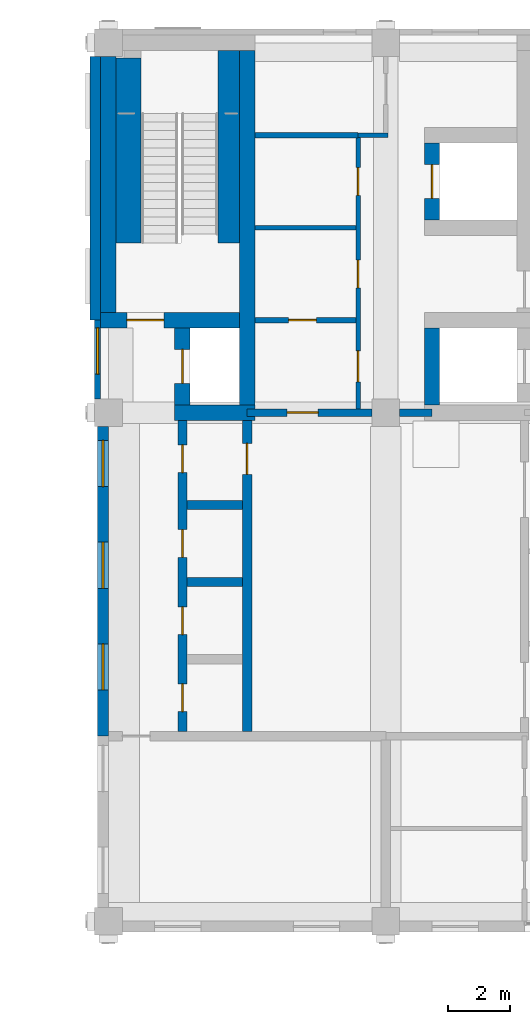
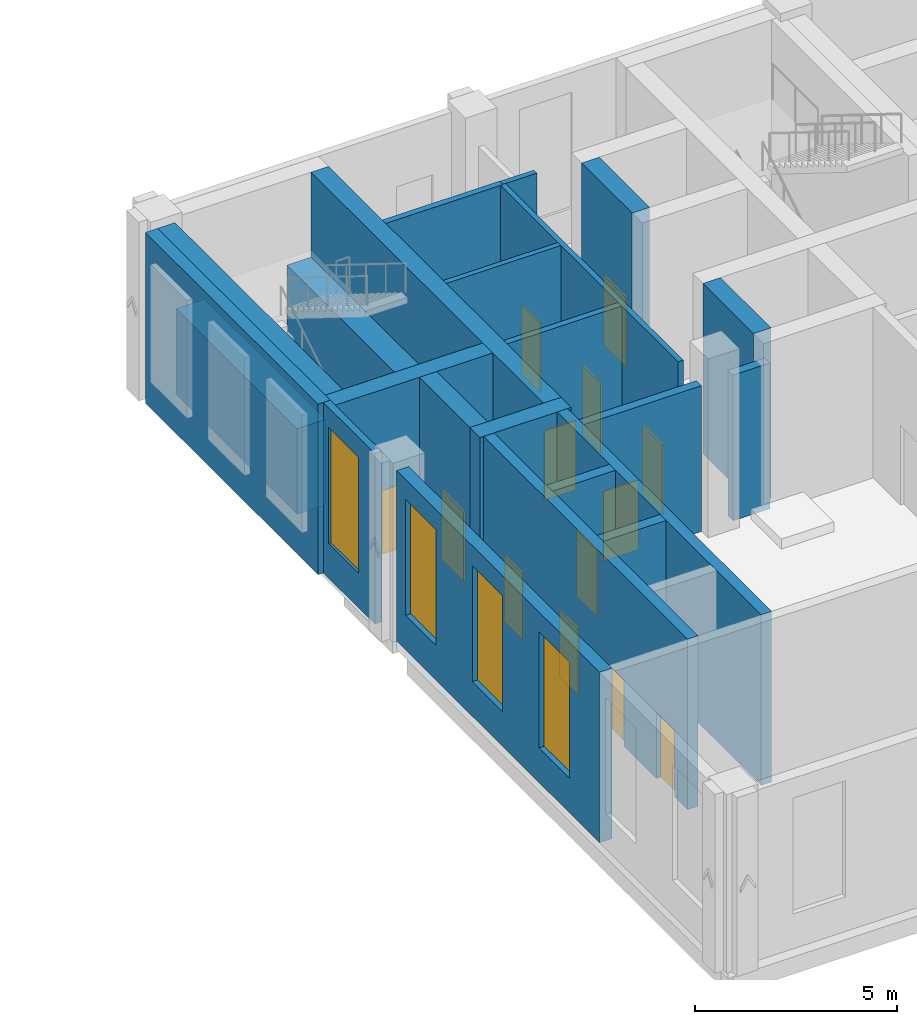
# One storey, part 16 of 25: 23 walls, 13 doors, 4 windows, 17 openings.
"""IFC4 building model written with IfcOpenShell, lengths in metres."""

from ifc_helpers import new_model, si_unit, direction, frame, frame_2d, origin, place, context, subcontext, project, spatial, rectangle, extrude, material, layer, layer_set, type_object, element, fill, save


model = new_model("IFC4")

# Units and contexts
model_context = context("Model", 3, precision=1e-05, world=origin(), true_north=direction((0.0, 1.0)))
body_context = subcontext(model_context, "Body", "Model", "MODEL_VIEW")
ifc_project = project(units=[si_unit("LENGTHUNIT", "METRE"), si_unit("AREAUNIT", "SQUARE_METRE"), si_unit("VOLUMEUNIT", "CUBIC_METRE"), si_unit("PLANEANGLEUNIT", "RADIAN"), si_unit("MASSUNIT", "GRAM", prefix="KILO")], contexts=[model_context])

# Site, building, storey
site_placement = place(None, origin())
site = spatial("IfcSite", under=ifc_project, at=site_placement, CompositionType="ELEMENT")
building_placement = place(site_placement, origin())
building = spatial("IfcBuilding", under=site, at=building_placement, Name="Aurelan Courthouse", CompositionType="ELEMENT")
storey_placement = place(building_placement, frame((0.0, 0.0, 33.60009765625)))
storey = spatial("IfcBuildingStorey", under=building, at=storey_placement, Name="L06", CompositionType="ELEMENT", Elevation=33.60009765625)

# Wall, opening, door
ifc_material_1 = material(Name="Gypsum board on metal studs")
ifc_layer_1 = layer(ifc_material_1, 0.175048828125)
ifc_layer_set_1 = layer_set([ifc_layer_1], Name="Gypsum board on metal studs")
wall_type_1 = type_object("IfcWallType", Name="Chambers acoustic partition 175 NOT RATED", PredefinedType="PARTITIONING", material=ifc_layer_set_1)
wall_1_placement = place(storey_placement, frame((40.75, 57.0, 0.0), z_axis=(0.0, 0.0, 1.0), x_axis=(1.0, 0.0, 0.0)))
wall_1 = element("IfcWall", 1, at=wall_1_placement, inside=storey, type_object=wall_type_1, Name="Chambers acoustic partition L06-025", PredefinedType="PARTITIONING", context=body_context, shape_type="SweptSolid", body=[
    extrude(rectangle(XDim=3.27490234375, YDim=0.175048828125, at=frame_2d((1.637451171875, 0.0))), origin(), (0.0, 0.0, 1.0), 5.14990234375),
])
opening_1_placement = place(wall_1_placement, frame((2.0, 0.0, 0.0), z_axis=(0.0, 0.0, 1.0), x_axis=(-1.0, 0.0, 0.0)))
opening_1 = element("IfcOpeningElement", 2, at=opening_1_placement, cuts=wall_1, Name="Opening D-L06-029", PredefinedType="OPENING", context=body_context, shape_type="SweptSolid", body=[
    extrude(rectangle(XDim=0.89990234375, YDim=2.10009765625, at=frame_2d((0.449951171875, 1.050048828125))), frame((0.0, 0.097412109375, 0.0), z_axis=(0.0, -1.0, 0.0), x_axis=(1.0, 0.0, 0.0)), (0.0, 0.0, 1.0), 0.195068359375),
])
ifc_material_2 = material(Name="Timber", Category="wood")
door_type_1 = type_object("IfcDoorType", Name="Single door 900 x 2100 NOT RATED", OperationType="SINGLE_SWING_LEFT", PredefinedType="DOOR", material=ifc_material_2)
door_1_placement = place(opening_1_placement, origin())
door_1 = element("IfcDoor", 3, at=door_1_placement, inside=storey, type_object=door_type_1, Name="Single door D-L06-029", OperationType="SINGLE_SWING_LEFT", OverallHeight=2.10009765625, OverallWidth=0.89990234375, PredefinedType="DOOR", context=body_context, shape_type="SweptSolid", body=[
    extrude(rectangle(XDim=0.89990234375, YDim=2.10009765625, at=frame_2d((0.449951171875, 1.050048828125))), frame((0.0, 0.02490234375, 0.0), z_axis=(0.0, -1.0, 0.0), x_axis=(1.0, 0.0, 0.0)), (0.0, 0.0, 1.0), 0.050048828125),
])
fill(opening_1, door_1)

# Walls
wall_2_placement = place(storey_placement, frame((40.75, 63.0, 0.0), z_axis=(0.0, 0.0, 1.0), x_axis=(1.0, 0.0, 0.0)))
element("IfcWall", 4, at=wall_2_placement, inside=storey, type_object=wall_type_1, Name="Chambers acoustic partition L06-029", PredefinedType="PARTITIONING", context=body_context, shape_type="SweptSolid", body=[
    extrude(rectangle(XDim=3.35009765625, YDim=0.175048828125, at=frame_2d((1.675048828125, 0.0))), origin(), (0.0, 0.0, 1.0), 5.14990234375),
])
ifc_layer_2 = layer(ifc_material_1, 0.14990234375)
ifc_layer_set_2 = layer_set([ifc_layer_2], Name="Gypsum board on metal studs")
wall_type_2 = type_object("IfcWallType", Name="Corridor partition 150 EI 60", PredefinedType="PARTITIONING", material=ifc_layer_set_2)
wall_3_placement = place(storey_placement, frame((44.10009765625, 63.0, 0.0), z_axis=(0.0, 0.0, 1.0), x_axis=(1.0, 0.0, 0.0)))
element("IfcWall", 5, at=wall_3_placement, inside=storey, type_object=wall_type_2, Name="Corridor partition L06-030", PredefinedType="PARTITIONING", context=body_context, shape_type="SweptSolid", body=[
    extrude(rectangle(XDim=0.974853515625, YDim=0.14990234375, at=frame_2d((0.4873046875, 0.0))), origin(), (0.0, 0.0, 1.0), 5.14990234375),
])

# Wall, openings, doors
wall_4_placement = place(storey_placement, frame((44.10009765625, 54.125, 0.0), z_axis=(0.0, 0.0, 1.0), x_axis=(0.0, 1.0, 0.0)))
wall_4 = element("IfcWall", 6, at=wall_4_placement, inside=storey, type_object=wall_type_2, Name="Corridor partition L06-041", PredefinedType="PARTITIONING", context=body_context, shape_type="SweptSolid", body=[
    extrude(rectangle(XDim=8.800048828125, YDim=0.14990234375, at=frame_2d((4.39990234375, 0.0))), origin(), (0.0, 0.0, 1.0), 5.14990234375),
])
opening_2_placement = place(wall_4_placement, frame((0.875, 0.0, 0.0)))
opening_2 = element("IfcOpeningElement", 7, at=opening_2_placement, cuts=wall_4, Name="Opening D-L06-027", PredefinedType="OPENING", context=body_context, shape_type="SweptSolid", body=[
    extrude(rectangle(XDim=1.0, YDim=2.10009765625, at=frame_2d((0.5, 1.050048828125))), frame((0.0, 0.0849609375, 0.0), z_axis=(0.0, -1.0, 0.0), x_axis=(1.0, 0.0, 0.0)), (0.0, 0.0, 1.0), 0.169921875),
])
opening_3_placement = place(wall_4_placement, frame((3.925048828125, 0.0, 0.0)))
opening_3 = element("IfcOpeningElement", 8, at=opening_3_placement, cuts=wall_4, Name="Opening D-L06-028", PredefinedType="OPENING", context=body_context, shape_type="SweptSolid", body=[
    extrude(rectangle(XDim=0.89990234375, YDim=2.10009765625, at=frame_2d((0.449951171875, 1.050048828125))), frame((0.0, 0.0849609375, 0.0), z_axis=(0.0, -1.0, 0.0), x_axis=(1.0, 0.0, 0.0)), (0.0, 0.0, 1.0), 0.169921875),
])
opening_4_placement = place(wall_4_placement, frame((6.925048828125, 0.0, 0.0)))
opening_4 = element("IfcOpeningElement", 9, at=opening_4_placement, cuts=wall_4, Name="Opening D-L06-030", PredefinedType="OPENING", context=body_context, shape_type="SweptSolid", body=[
    extrude(rectangle(XDim=0.89990234375, YDim=2.10009765625, at=frame_2d((0.449951171875, 1.050048828125))), frame((0.0, 0.0849609375, 0.0), z_axis=(0.0, -1.0, 0.0), x_axis=(1.0, 0.0, 0.0)), (0.0, 0.0, 1.0), 0.169921875),
])
ifc_material_3 = material(Name="Steel", Category="steel")
door_type_2 = type_object("IfcDoorType", Name="Single door 1000 x 2100 FD60", OperationType="SINGLE_SWING_LEFT", PredefinedType="DOOR", material=ifc_material_3)
door_2_placement = place(opening_2_placement, origin())
door_2 = element("IfcDoor", 10, at=door_2_placement, inside=storey, type_object=door_type_2, Name="Single door D-L06-027", OperationType="SINGLE_SWING_RIGHT", OverallHeight=2.10009765625, OverallWidth=1.0, PredefinedType="DOOR", context=body_context, shape_type="SweptSolid", body=[
    extrude(rectangle(XDim=1.0, YDim=2.10009765625, at=frame_2d((0.5, 1.050048828125))), frame((0.0, 0.02490234375, 0.0), z_axis=(0.0, -1.0, 0.0), x_axis=(1.0, 0.0, 0.0)), (0.0, 0.0, 1.0), 0.050048828125),
])
fill(opening_2, door_2)
door_type_3 = type_object("IfcDoorType", Name="Single door 900 x 2100 FD60", OperationType="SINGLE_SWING_LEFT", PredefinedType="DOOR", material=ifc_material_3)
door_3_placement = place(opening_3_placement, origin())
door_3 = element("IfcDoor", 11, at=door_3_placement, inside=storey, type_object=door_type_3, Name="Single door D-L06-028", OperationType="SINGLE_SWING_LEFT", OverallHeight=2.10009765625, OverallWidth=0.89990234375, PredefinedType="DOOR", context=body_context, shape_type="SweptSolid", body=[
    extrude(rectangle(XDim=0.89990234375, YDim=2.10009765625, at=frame_2d((0.449951171875, 1.050048828125))), frame((0.0, 0.02490234375, 0.0), z_axis=(0.0, -1.0, 0.0), x_axis=(1.0, 0.0, 0.0)), (0.0, 0.0, 1.0), 0.050048828125),
])
fill(opening_3, door_3)
door_4_placement = place(opening_4_placement, origin())
door_4 = element("IfcDoor", 12, at=door_4_placement, inside=storey, type_object=door_type_3, Name="Single door D-L06-030", OperationType="SINGLE_SWING_LEFT", OverallHeight=2.10009765625, OverallWidth=0.89990234375, PredefinedType="DOOR", context=body_context, shape_type="SweptSolid", body=[
    extrude(rectangle(XDim=0.89990234375, YDim=2.10009765625, at=frame_2d((0.449951171875, 1.050048828125))), frame((0.0, 0.02490234375, 0.0), z_axis=(0.0, -1.0, 0.0), x_axis=(1.0, 0.0, 0.0)), (0.0, 0.0, 1.0), 0.050048828125),
])
fill(opening_4, door_4)

# Wall, opening, window
ifc_material_4 = material(Name="Limestone cladding", Category="masonry")
ifc_layer_3 = layer(ifc_material_4, 0.054931640625, Name="Facing")
ifc_material_5 = material(Name="Ventilated cavity")
ifc_layer_4 = layer(ifc_material_5, 0.02490234375, ventilated=True, Name="Ventilated cavity")
ifc_material_6 = material(Name="Mineral wool insulation")
ifc_layer_5 = layer(ifc_material_6, 0.030029296875, Name="Insulation")
ifc_material_7 = material(Name="Concrete C30", Category="concrete")
ifc_layer_6 = layer(ifc_material_7, 0.090087890625, Name="Structure")
ifc_layer_set_3 = layer_set([ifc_layer_3, ifc_layer_4, ifc_layer_5, ifc_layer_6], Name="Concrete C30")
wall_type_3 = type_object("IfcWallType", Name="Courtroom Block stone-faced wall 200", PredefinedType="SOLIDWALL", material=ifc_layer_set_3)
wall_5_placement = place(storey_placement, frame((35.64990234375, 54.449951171875, 0.0), z_axis=(0.0, 0.0, 1.0), x_axis=(0.0, 1.0, 0.0)))
wall_5 = element("IfcWall", 13, at=wall_5_placement, inside=storey, type_object=wall_type_3, Name="Facade wall FW-V2-L06-013", PredefinedType="SOLIDWALL", context=body_context, shape_type="SweptSolid", body=[
    extrude(rectangle(XDim=2.550048828125, YDim=0.199951171875, at=frame_2d((1.27490234375, 0.0))), origin(), (0.0, 0.0, 1.0), 5.14990234375),
])
opening_5_placement = place(wall_5_placement, frame((0.800048828125, 0.0, 1.050048828125)))
opening_5 = element("IfcOpeningElement", 14, at=opening_5_placement, cuts=wall_5, Name="Opening WN-V2-L06-019", PredefinedType="OPENING", context=body_context, shape_type="SweptSolid", body=[
    extrude(rectangle(XDim=1.5, YDim=3.5, at=frame_2d((0.75, 1.75))), frame((0.0, 0.10986328125, 0.0), z_axis=(0.0, -1.0, 0.0), x_axis=(1.0, 0.0, 0.0)), (0.0, 0.0, 1.0), 0.219970703125),
])
ifc_material_8 = material(Name="Bronze-finished aluminium and glass", Category="aluminium")
window_type = type_object("IfcWindowType", Name="Courtroom Block glazed slot 1500 x 3500, sill 1050", PartitioningType="SINGLE_PANEL", PredefinedType="WINDOW", material=ifc_material_8)
window_1_placement = place(opening_5_placement, origin())
window_1 = element("IfcWindow", 15, at=window_1_placement, inside=storey, type_object=window_type, Name="Glazed slot WN-V2-L06-019", OverallHeight=3.5, OverallWidth=1.5, PartitioningType="SINGLE_PANEL", PredefinedType="WINDOW", context=body_context, shape_type="SweptSolid", body=[
    extrude(rectangle(XDim=1.5, YDim=3.5, at=frame_2d((0.75, 1.75))), frame((0.0, 0.030029296875, 0.0), z_axis=(0.0, -1.0, 0.0), x_axis=(1.0, 0.0, 0.0)), (0.0, 0.0, 1.0), 0.06005859375),
])
fill(opening_5, window_1)

# Wall, openings, windows
ifc_layer_7 = layer(ifc_material_4, 0.10009765625, Name="Facing")
ifc_layer_8 = layer(ifc_material_5, 0.02490234375, ventilated=True, Name="Ventilated cavity")
ifc_layer_9 = layer(ifc_material_6, 0.050048828125, Name="Insulation")
ifc_layer_10 = layer(ifc_material_7, 0.175048828125, Name="Structure")
ifc_layer_set_4 = layer_set([ifc_layer_7, ifc_layer_8, ifc_layer_9, ifc_layer_10], Name="Concrete C30")
wall_type_4 = type_object("IfcWallType", Name="Courtroom Block stone-faced wall 350", PredefinedType="SOLIDWALL", material=ifc_layer_set_4)
wall_6_placement = place(storey_placement, frame((35.824951171875, 43.5, 0.0), z_axis=(0.0, 0.0, 1.0), x_axis=(0.0, 1.0, 0.0)))
wall_6 = element("IfcWall", 16, at=wall_6_placement, inside=storey, type_object=wall_type_4, Name="Facade wall FW-V2-L06-012", PredefinedType="SOLIDWALL", context=body_context, shape_type="SweptSolid", body=[
    extrude(rectangle(XDim=10.050048828125, YDim=0.35009765625, at=frame_2d((5.02490234375, 0.0))), origin(), (0.0, 0.0, 1.0), 5.14990234375),
])
opening_6_placement = place(wall_6_placement, frame((1.5, 0.0, 1.050048828125)))
opening_6 = element("IfcOpeningElement", 17, at=opening_6_placement, cuts=wall_6, Name="Opening WN-V2-L06-016", PredefinedType="OPENING", context=body_context, shape_type="SweptSolid", body=[
    extrude(rectangle(XDim=1.5, YDim=3.5, at=frame_2d((0.75, 1.75))), frame((0.0, 0.18505859375, 0.0), z_axis=(0.0, -1.0, 0.0), x_axis=(1.0, 0.0, 0.0)), (0.0, 0.0, 1.0), 0.3701171875),
])
opening_7_placement = place(wall_6_placement, frame((4.800048828125, 0.0, 1.050048828125)))
opening_7 = element("IfcOpeningElement", 18, at=opening_7_placement, cuts=wall_6, Name="Opening WN-V2-L06-017", PredefinedType="OPENING", context=body_context, shape_type="SweptSolid", body=[
    extrude(rectangle(XDim=1.5, YDim=3.5, at=frame_2d((0.75, 1.75))), frame((0.0, 0.18505859375, 0.0), z_axis=(0.0, -1.0, 0.0), x_axis=(1.0, 0.0, 0.0)), (0.0, 0.0, 1.0), 0.3701171875),
])
opening_8_placement = place(wall_6_placement, frame((8.10009765625, 0.0, 1.050048828125)))
opening_8 = element("IfcOpeningElement", 19, at=opening_8_placement, cuts=wall_6, Name="Opening WN-V2-L06-018", PredefinedType="OPENING", context=body_context, shape_type="SweptSolid", body=[
    extrude(rectangle(XDim=1.5, YDim=3.5, at=frame_2d((0.75, 1.75))), frame((0.0, 0.18505859375, 0.0), z_axis=(0.0, -1.0, 0.0), x_axis=(1.0, 0.0, 0.0)), (0.0, 0.0, 1.0), 0.3701171875),
])
window_2_placement = place(opening_6_placement, origin())
window_2 = element("IfcWindow", 20, at=window_2_placement, inside=storey, type_object=window_type, Name="Glazed slot WN-V2-L06-016", OverallHeight=3.5, OverallWidth=1.5, PartitioningType="SINGLE_PANEL", PredefinedType="WINDOW", context=body_context, shape_type="SweptSolid", body=[
    extrude(rectangle(XDim=1.5, YDim=3.5, at=frame_2d((0.75, 1.75))), frame((0.0, 0.030029296875, 0.0), z_axis=(0.0, -1.0, 0.0), x_axis=(1.0, 0.0, 0.0)), (0.0, 0.0, 1.0), 0.06005859375),
])
fill(opening_6, window_2)
window_3_placement = place(opening_7_placement, origin())
window_3 = element("IfcWindow", 21, at=window_3_placement, inside=storey, type_object=window_type, Name="Glazed slot WN-V2-L06-017", OverallHeight=3.5, OverallWidth=1.5, PartitioningType="SINGLE_PANEL", PredefinedType="WINDOW", context=body_context, shape_type="SweptSolid", body=[
    extrude(rectangle(XDim=1.5, YDim=3.5, at=frame_2d((0.75, 1.75))), frame((0.0, 0.030029296875, 0.0), z_axis=(0.0, -1.0, 0.0), x_axis=(1.0, 0.0, 0.0)), (0.0, 0.0, 1.0), 0.06005859375),
])
fill(opening_7, window_3)
window_4_placement = place(opening_8_placement, origin())
window_4 = element("IfcWindow", 22, at=window_4_placement, inside=storey, type_object=window_type, Name="Glazed slot WN-V2-L06-018", OverallHeight=3.5, OverallWidth=1.5, PartitioningType="SINGLE_PANEL", PredefinedType="WINDOW", context=body_context, shape_type="SweptSolid", body=[
    extrude(rectangle(XDim=1.5, YDim=3.5, at=frame_2d((0.75, 1.75))), frame((0.0, 0.030029296875, 0.0), z_axis=(0.0, -1.0, 0.0), x_axis=(1.0, 0.0, 0.0)), (0.0, 0.0, 1.0), 0.06005859375),
])
fill(opening_8, window_4)

# Wall
wall_7_placement = place(storey_placement, frame((35.574951171875, 57.0, 0.0), z_axis=(0.0, 0.0, 1.0), x_axis=(0.0, 1.0, 0.0)))
element("IfcWall", 23, at=wall_7_placement, inside=storey, type_object=wall_type_4, Name="Facade wall FW-V2-L06-014", PredefinedType="SOLIDWALL", context=body_context, shape_type="SweptSolid", body=[
    extrude(rectangle(XDim=8.550048828125, YDim=0.35009765625, at=frame_2d((4.27490234375, 0.0))), origin(), (0.0, 0.0, 1.0), 5.14990234375),
])

# Wall, opening, door
ifc_material_9 = material(Name="Masonry block", Category="masonry")
ifc_layer_11 = layer(ifc_material_9, 0.25)
ifc_layer_set_5 = layer_set([ifc_layer_11], Name="Masonry block")
wall_type_5 = type_object("IfcWallType", Name="Courtroom wall 250 EI 60", PredefinedType="PARTITIONING", material=ifc_layer_set_5)
wall_8_placement = place(storey_placement, frame((40.5, 54.0, 0.0), z_axis=(0.0, 0.0, 1.0), x_axis=(1.0, 0.0, 0.0)))
wall_8 = element("IfcWall", 24, at=wall_8_placement, inside=storey, type_object=wall_type_5, Name="Courtroom wall L06-021", PredefinedType="PARTITIONING", context=body_context, shape_type="SweptSolid", body=[
    extrude(rectangle(XDim=4.050048828125, YDim=0.25, at=frame_2d((2.02490234375, 0.0))), origin(), (0.0, 0.0, 1.0), 4.39990234375),
])
opening_9_placement = place(wall_8_placement, frame((2.300048828125, 0.0, 0.0), z_axis=(0.0, 0.0, 1.0), x_axis=(-1.0, 0.0, 0.0)))
opening_9 = element("IfcOpeningElement", 25, at=opening_9_placement, cuts=wall_8, Name="Opening D-L06-032", PredefinedType="OPENING", context=body_context, shape_type="SweptSolid", body=[
    extrude(rectangle(XDim=1.0, YDim=2.10009765625, at=frame_2d((0.5, 1.050048828125))), frame((0.0, 0.135009765625, 0.0), z_axis=(0.0, -1.0, 0.0), x_axis=(1.0, 0.0, 0.0)), (0.0, 0.0, 1.0), 0.27001953125),
])
door_type_4 = type_object("IfcDoorType", Name="Single door 1000 x 2100 FD30", OperationType="SINGLE_SWING_LEFT", PredefinedType="DOOR", material=ifc_material_3)
door_5_placement = place(opening_9_placement, origin())
door_5 = element("IfcDoor", 26, at=door_5_placement, inside=storey, type_object=door_type_4, Name="Single door D-L06-032", OperationType="SINGLE_SWING_RIGHT", OverallHeight=2.10009765625, OverallWidth=1.0, PredefinedType="DOOR", context=body_context, shape_type="SweptSolid", body=[
    extrude(rectangle(XDim=1.0, YDim=2.10009765625, at=frame_2d((0.5, 1.050048828125))), frame((0.0, 0.02490234375, 0.0), z_axis=(0.0, -1.0, 0.0), x_axis=(1.0, 0.0, 0.0)), (0.0, 0.0, 1.0), 0.050048828125),
])
fill(opening_9, door_5)

# Walls
wall_9_placement = place(storey_placement, frame((45.449951171875, 54.0, 0.0), z_axis=(0.0, 0.0, 1.0), x_axis=(1.0, 0.0, 0.0)))
element("IfcWall", 27, at=wall_9_placement, inside=storey, type_object=wall_type_5, Name="Courtroom wall L06-022", PredefinedType="PARTITIONING", context=body_context, shape_type="SweptSolid", body=[
    extrude(rectangle(XDim=1.050048828125, YDim=0.25, at=frame_2d((0.52490234375, 0.0))), origin(), (0.0, 0.0, 1.0), 4.39990234375),
])
ifc_layer_12 = layer(ifc_material_7, 0.300048828125)
ifc_layer_set_6 = layer_set([ifc_layer_12], Name="Concrete C30")
wall_type_6 = type_object("IfcWallType", Name="Custody wall 300 EI 120", PredefinedType="PARTITIONING", material=ifc_layer_set_6)
for number, where, z_axis, x_axis, name in (
    (28, (38.550048828125, 48.5, 0.0), (0.0, 0.0, 1.0), (1.0, 0.0, 0.0), "Custody wall L06-018"),
    (29, (38.550048828125, 51.0, 0.0), (0.0, 0.0, 1.0), (1.0, 0.0, 0.0), "Custody wall L06-020"),
):
    element("IfcWall", number, at=place(storey_placement, frame(where, z_axis=z_axis, x_axis=x_axis)), inside=storey, type_object=wall_type_6, Name=name, PredefinedType="PARTITIONING", context=body_context, shape_type="SweptSolid", body=[
        extrude(rectangle(XDim=1.800048828125, YDim=0.300048828125, at=frame_2d((0.89990234375, 0.0))), origin(), (0.0, 0.0, 1.0), 5.14990234375),
    ])

# Wall, openings, doors
wall_10_placement = place(storey_placement, frame((38.39990234375, 43.64990234375, 0.0), z_axis=(0.0, 0.0, 1.0), x_axis=(0.0, 1.0, 0.0)))
wall_10 = element("IfcWall", 30, at=wall_10_placement, inside=storey, type_object=wall_type_6, Name="Custody wall L06-039", PredefinedType="PARTITIONING", context=body_context, shape_type="SweptSolid", body=[
    extrude(rectangle(XDim=10.35009765625, YDim=0.300048828125, at=frame_2d((5.175048828125, 0.0))), origin(), (0.0, 0.0, 1.0), 5.14990234375),
])
opening_10_placement = place(wall_10_placement, frame((1.5498046875, 0.0, 0.0), z_axis=(0.0, 0.0, 1.0), x_axis=(-1.0, 0.0, 0.0)))
opening_10 = element("IfcOpeningElement", 31, at=opening_10_placement, cuts=wall_10, Name="Opening D-L06-017", PredefinedType="OPENING", context=body_context, shape_type="SweptSolid", body=[
    extrude(rectangle(XDim=0.89990234375, YDim=2.0, at=frame_2d((0.449951171875, 1.0))), frame((0.0, 0.159912109375, 0.0), z_axis=(0.0, -1.0, 0.0), x_axis=(1.0, 0.0, 0.0)), (0.0, 0.0, 1.0), 0.320068359375),
])
opening_11_placement = place(wall_10_placement, frame((4.0498046875, 0.0, 0.0), z_axis=(0.0, 0.0, 1.0), x_axis=(-1.0, 0.0, 0.0)))
opening_11 = element("IfcOpeningElement", 32, at=opening_11_placement, cuts=wall_10, Name="Opening D-L06-018", PredefinedType="OPENING", context=body_context, shape_type="SweptSolid", body=[
    extrude(rectangle(XDim=0.89990234375, YDim=2.0, at=frame_2d((0.449951171875, 1.0))), frame((0.0, 0.159912109375, 0.0), z_axis=(0.0, -1.0, 0.0), x_axis=(1.0, 0.0, 0.0)), (0.0, 0.0, 1.0), 0.320068359375),
])
opening_12_placement = place(wall_10_placement, frame((6.5498046875, 0.0, 0.0), z_axis=(0.0, 0.0, 1.0), x_axis=(-1.0, 0.0, 0.0)))
opening_12 = element("IfcOpeningElement", 33, at=opening_12_placement, cuts=wall_10, Name="Opening D-L06-019", PredefinedType="OPENING", context=body_context, shape_type="SweptSolid", body=[
    extrude(rectangle(XDim=0.89990234375, YDim=2.0, at=frame_2d((0.449951171875, 1.0))), frame((0.0, 0.159912109375, 0.0), z_axis=(0.0, -1.0, 0.0), x_axis=(1.0, 0.0, 0.0)), (0.0, 0.0, 1.0), 0.320068359375),
])
opening_13_placement = place(wall_10_placement, frame((9.2998046875, 0.0, 0.0), z_axis=(0.0, 0.0, 1.0), x_axis=(-1.0, 0.0, 0.0)))
opening_13 = element("IfcOpeningElement", 34, at=opening_13_placement, cuts=wall_10, Name="Opening D-L06-020", PredefinedType="OPENING", context=body_context, shape_type="SweptSolid", body=[
    extrude(rectangle(XDim=0.89990234375, YDim=2.0, at=frame_2d((0.449951171875, 1.0))), frame((0.0, 0.159912109375, 0.0), z_axis=(0.0, -1.0, 0.0), x_axis=(1.0, 0.0, 0.0)), (0.0, 0.0, 1.0), 0.320068359375),
])
door_type_5 = type_object("IfcDoorType", Name="Single door 900 x 2000 FD90", OperationType="SINGLE_SWING_LEFT", PredefinedType="DOOR", material=ifc_material_3)
door_6_placement = place(opening_10_placement, origin())
door_6 = element("IfcDoor", 35, at=door_6_placement, inside=storey, type_object=door_type_5, Name="Single door D-L06-017", OperationType="SINGLE_SWING_LEFT", OverallHeight=2.0, OverallWidth=0.89990234375, PredefinedType="DOOR", context=body_context, shape_type="SweptSolid", body=[
    extrude(rectangle(XDim=0.89990234375, YDim=2.0, at=frame_2d((0.449951171875, 1.0))), frame((0.0, 0.02490234375, 0.0), z_axis=(0.0, -1.0, 0.0), x_axis=(1.0, 0.0, 0.0)), (0.0, 0.0, 1.0), 0.050048828125),
])
fill(opening_10, door_6)
door_7_placement = place(opening_11_placement, origin())
door_7 = element("IfcDoor", 36, at=door_7_placement, inside=storey, type_object=door_type_5, Name="Single door D-L06-018", OperationType="SINGLE_SWING_RIGHT", OverallHeight=2.0, OverallWidth=0.89990234375, PredefinedType="DOOR", context=body_context, shape_type="SweptSolid", body=[
    extrude(rectangle(XDim=0.89990234375, YDim=2.0, at=frame_2d((0.449951171875, 1.0))), frame((0.0, 0.02490234375, 0.0), z_axis=(0.0, -1.0, 0.0), x_axis=(1.0, 0.0, 0.0)), (0.0, 0.0, 1.0), 0.050048828125),
])
fill(opening_11, door_7)
door_8_placement = place(opening_12_placement, origin())
door_8 = element("IfcDoor", 37, at=door_8_placement, inside=storey, type_object=door_type_5, Name="Single door D-L06-019", OperationType="SINGLE_SWING_LEFT", OverallHeight=2.0, OverallWidth=0.89990234375, PredefinedType="DOOR", context=body_context, shape_type="SweptSolid", body=[
    extrude(rectangle(XDim=0.89990234375, YDim=2.0, at=frame_2d((0.449951171875, 1.0))), frame((0.0, 0.02490234375, 0.0), z_axis=(0.0, -1.0, 0.0), x_axis=(1.0, 0.0, 0.0)), (0.0, 0.0, 1.0), 0.050048828125),
])
fill(opening_12, door_8)
door_9_placement = place(opening_13_placement, origin())
door_9 = element("IfcDoor", 38, at=door_9_placement, inside=storey, type_object=door_type_5, Name="Single door D-L06-020", OperationType="SINGLE_SWING_RIGHT", OverallHeight=2.0, OverallWidth=0.89990234375, PredefinedType="DOOR", context=body_context, shape_type="SweptSolid", body=[
    extrude(rectangle(XDim=0.89990234375, YDim=2.0, at=frame_2d((0.449951171875, 1.0))), frame((0.0, 0.02490234375, 0.0), z_axis=(0.0, -1.0, 0.0), x_axis=(1.0, 0.0, 0.0)), (0.0, 0.0, 1.0), 0.050048828125),
])
fill(opening_13, door_9)

# Wall, opening, door
wall_11_placement = place(storey_placement, frame((40.5, 43.64990234375, 0.0), z_axis=(0.0, 0.0, 1.0), x_axis=(0.0, 1.0, 0.0)))
wall_11 = element("IfcWall", 39, at=wall_11_placement, inside=storey, type_object=wall_type_6, Name="Custody wall L06-040", PredefinedType="PARTITIONING", context=body_context, shape_type="SweptSolid", body=[
    extrude(rectangle(XDim=10.35009765625, YDim=0.300048828125, at=frame_2d((5.175048828125, 0.0))), origin(), (0.0, 0.0, 1.0), 5.14990234375),
])
opening_14_placement = place(wall_11_placement, frame((9.35009765625, 0.0, 0.0), z_axis=(0.0, 0.0, 1.0), x_axis=(-1.0, 0.0, 0.0)))
opening_14 = element("IfcOpeningElement", 40, at=opening_14_placement, cuts=wall_11, Name="Opening D-L06-021", PredefinedType="OPENING", context=body_context, shape_type="SweptSolid", body=[
    extrude(rectangle(XDim=1.0, YDim=2.0, at=frame_2d((0.5, 1.0))), frame((0.0, 0.159912109375, 0.0), z_axis=(0.0, -1.0, 0.0), x_axis=(1.0, 0.0, 0.0)), (0.0, 0.0, 1.0), 0.320068359375),
])
door_type_6 = type_object("IfcDoorType", Name="Single door 1000 x 2000 FD90", OperationType="SINGLE_SWING_LEFT", PredefinedType="DOOR", material=ifc_material_3)
door_10_placement = place(opening_14_placement, origin())
door_10 = element("IfcDoor", 41, at=door_10_placement, inside=storey, type_object=door_type_6, Name="Single door D-L06-021", OperationType="SINGLE_SWING_LEFT", OverallHeight=2.0, OverallWidth=1.0, PredefinedType="DOOR", context=body_context, shape_type="SweptSolid", body=[
    extrude(rectangle(XDim=1.0, YDim=2.0, at=frame_2d((0.5, 1.0))), frame((0.0, 0.02490234375, 0.0), z_axis=(0.0, -1.0, 0.0), x_axis=(1.0, 0.0, 0.0)), (0.0, 0.0, 1.0), 0.050048828125),
])
fill(opening_14, door_10)

# Walls
ifc_layer_13 = layer(ifc_material_1, 0.14990234375)
ifc_layer_set_7 = layer_set([ifc_layer_13], Name="Gypsum board on metal studs")
wall_type_7 = type_object("IfcWallType", Name="Partition 150 NOT RATED", PredefinedType="PARTITIONING", material=ifc_layer_set_7)
wall_12_placement = place(storey_placement, frame((40.75, 60.0, 0.0), z_axis=(0.0, 0.0, 1.0), x_axis=(1.0, 0.0, 0.0)))
element("IfcWall", 42, at=wall_12_placement, inside=storey, type_object=wall_type_7, Name="Partition L06-027", PredefinedType="PARTITIONING", context=body_context, shape_type="SweptSolid", body=[
    extrude(rectangle(XDim=3.27490234375, YDim=0.14990234375, at=frame_2d((1.637451171875, 0.0))), origin(), (0.0, 0.0, 1.0), 5.14990234375),
])
ifc_material_10 = material(Name="Concrete C50", Category="concrete")
ifc_layer_14 = layer(ifc_material_10, 0.5)
ifc_layer_set_8 = layer_set([ifc_layer_14], Name="Concrete C50")
wall_type_8 = type_object("IfcWallType", Name="RC shear wall 500", PredefinedType="SHEAR", material=ifc_layer_set_8)
wall_13_placement = place(storey_placement, frame((38.14990234375, 54.0, 0.0), z_axis=(0.0, 0.0, 1.0), x_axis=(1.0, 0.0, 0.0)))
element("IfcWall", 43, at=wall_13_placement, inside=storey, type_object=wall_type_8, Name="Core wall SW-L06-016", PredefinedType="SHEAR", context=body_context, shape_type="SweptSolid", body=[
    extrude(rectangle(XDim=2.60009765625, YDim=0.5, at=frame_2d((1.300048828125, 0.0))), origin(), (0.0, 0.0, 1.0), 5.14990234375),
])

# Wall, opening, door
wall_14_placement = place(storey_placement, frame((38.39990234375, 54.25, 0.0), z_axis=(0.0, 0.0, 1.0), x_axis=(0.0, 1.0, 0.0)))
wall_14 = element("IfcWall", 44, at=wall_14_placement, inside=storey, type_object=wall_type_8, Name="Core wall SW-L06-019", PredefinedType="SHEAR", context=body_context, shape_type="SweptSolid", body=[
    extrude(rectangle(XDim=2.5, YDim=0.5, at=frame_2d((1.25, 0.0))), origin(), (0.0, 0.0, 1.0), 5.14990234375),
])
opening_15_placement = place(wall_14_placement, frame((0.699951171875, 0.0, 0.0)))
opening_15 = element("IfcOpeningElement", 45, at=opening_15_placement, cuts=wall_14, Name="Opening LD-V2-C1-L06", PredefinedType="OPENING", context=body_context, shape_type="SweptSolid", body=[
    extrude(rectangle(XDim=1.10009765625, YDim=2.10009765625, at=frame_2d((0.550048828125, 1.050048828125))), frame((0.0, 0.260009765625, 0.0), z_axis=(0.0, -1.0, 0.0), x_axis=(1.0, 0.0, 0.0)), (0.0, 0.0, 1.0), 0.52001953125),
])
door_type_7 = type_object("IfcDoorType", Name="Lift landing door 1100 x 2100 FD90", OperationType="SLIDING_TO_LEFT", PredefinedType="DOOR", material=ifc_material_3)
door_11_placement = place(opening_15_placement, origin())
door_11 = element("IfcDoor", 46, at=door_11_placement, inside=storey, type_object=door_type_7, Name="Lift landing door LD-V2-C1-L06", OperationType="SLIDING_TO_LEFT", OverallHeight=2.10009765625, OverallWidth=1.10009765625, PredefinedType="DOOR", context=body_context, shape_type="SweptSolid", body=[
    extrude(rectangle(XDim=1.10009765625, YDim=2.10009765625, at=frame_2d((0.550048828125, 1.050048828125))), frame((0.0, 0.02490234375, 0.0), z_axis=(0.0, -1.0, 0.0), x_axis=(1.0, 0.0, 0.0)), (0.0, 0.0, 1.0), 0.050048828125),
])
fill(opening_15, door_11)

# Walls
wall_15_placement = place(storey_placement, frame((40.5, 54.25, 0.0), z_axis=(0.0, 0.0, 1.0), x_axis=(0.0, 1.0, 0.0)))
element("IfcWall", 47, at=wall_15_placement, inside=storey, type_object=wall_type_8, Name="Core wall SW-L06-020", PredefinedType="SHEAR", context=body_context, shape_type="SweptSolid", body=[
    extrude(rectangle(XDim=11.5, YDim=0.5, at=frame_2d((5.75, 0.0))), origin(), (0.0, 0.0, 1.0), 5.14990234375),
])
wall_16_placement = place(storey_placement, frame((46.5, 54.25, 0.0), z_axis=(0.0, 0.0, 1.0), x_axis=(0.0, 1.0, 0.0)))
element("IfcWall", 48, at=wall_16_placement, inside=storey, type_object=wall_type_8, Name="Core wall SW-L06-021", PredefinedType="SHEAR", context=body_context, shape_type="SweptSolid", body=[
    extrude(rectangle(XDim=2.5, YDim=0.5, at=frame_2d((1.25, 0.0))), origin(), (0.0, 0.0, 1.0), 5.14990234375),
])

# Wall, opening, door
wall_17_placement = place(storey_placement, frame((35.75, 57.0, 0.0), z_axis=(0.0, 0.0, 1.0), x_axis=(1.0, 0.0, 0.0)))
wall_17 = element("IfcWall", 49, at=wall_17_placement, inside=storey, type_object=wall_type_8, Name="Core wall SW-L06-025", PredefinedType="SHEAR", context=body_context, shape_type="SweptSolid", body=[
    extrude(rectangle(XDim=4.5, YDim=0.5, at=frame_2d((2.25, 0.0))), origin(), (0.0, 0.0, 1.0), 5.14990234375),
])
opening_16_placement = place(wall_17_placement, frame((0.85009765625, 0.0, 0.0)))
opening_16 = element("IfcOpeningElement", 50, at=opening_16_placement, cuts=wall_17, Name="Opening D-L06-002", PredefinedType="OPENING", context=body_context, shape_type="SweptSolid", body=[
    extrude(rectangle(XDim=1.199951171875, YDim=2.10009765625, at=frame_2d((0.60009765625, 1.050048828125))), frame((0.0, 0.260009765625, 0.0), z_axis=(0.0, -1.0, 0.0), x_axis=(1.0, 0.0, 0.0)), (0.0, 0.0, 1.0), 0.52001953125),
])
door_type_8 = type_object("IfcDoorType", Name="Single door 1200 x 2100 FD90", OperationType="SINGLE_SWING_LEFT", PredefinedType="DOOR", material=ifc_material_3)
door_12_placement = place(opening_16_placement, origin())
door_12 = element("IfcDoor", 51, at=door_12_placement, inside=storey, type_object=door_type_8, Name="Single door D-L06-002", OperationType="SINGLE_SWING_LEFT", OverallHeight=2.10009765625, OverallWidth=1.199951171875, PredefinedType="DOOR", context=body_context, shape_type="SweptSolid", body=[
    extrude(rectangle(XDim=1.199951171875, YDim=2.10009765625, at=frame_2d((0.60009765625, 1.050048828125))), frame((0.0, 0.02490234375, 0.0), z_axis=(0.0, -1.0, 0.0), x_axis=(1.0, 0.0, 0.0)), (0.0, 0.0, 1.0), 0.050048828125),
])
fill(opening_16, door_12)

# Wall
wall_18_placement = place(storey_placement, frame((36.0, 57.25, 0.0), z_axis=(0.0, 0.0, 1.0), x_axis=(0.0, 1.0, 0.0)))
element("IfcWall", 52, at=wall_18_placement, inside=storey, type_object=wall_type_8, Name="Core wall SW-L06-028", PredefinedType="SHEAR", context=body_context, shape_type="SweptSolid", body=[
    extrude(rectangle(XDim=8.300048828125, YDim=0.5, at=frame_2d((4.14990234375, 0.0))), origin(), (0.0, 0.0, 1.0), 5.14990234375),
])

# Wall, opening, door
wall_19_placement = place(storey_placement, frame((46.5, 60.25, 0.0), z_axis=(0.0, 0.0, 1.0), x_axis=(0.0, 1.0, 0.0)))
wall_19 = element("IfcWall", 53, at=wall_19_placement, inside=storey, type_object=wall_type_8, Name="Core wall SW-L06-033", PredefinedType="SHEAR", context=body_context, shape_type="SweptSolid", body=[
    extrude(rectangle(XDim=2.5, YDim=0.5, at=frame_2d((1.25, 0.0))), origin(), (0.0, 0.0, 1.0), 5.14990234375),
])
opening_17_placement = place(wall_19_placement, frame((0.699951171875, 0.0, 0.0)))
opening_17 = element("IfcOpeningElement", 54, at=opening_17_placement, cuts=wall_19, Name="Opening LD-V2-J1-L06", PredefinedType="OPENING", context=body_context, shape_type="SweptSolid", body=[
    extrude(rectangle(XDim=1.10009765625, YDim=2.10009765625, at=frame_2d((0.550048828125, 1.050048828125))), frame((0.0, 0.260009765625, 0.0), z_axis=(0.0, -1.0, 0.0), x_axis=(1.0, 0.0, 0.0)), (0.0, 0.0, 1.0), 0.52001953125),
])
door_13_placement = place(opening_17_placement, origin())
door_13 = element("IfcDoor", 55, at=door_13_placement, inside=storey, type_object=door_type_7, Name="Lift landing door LD-V2-J1-L06", OperationType="SLIDING_TO_LEFT", OverallHeight=2.10009765625, OverallWidth=1.10009765625, PredefinedType="DOOR", context=body_context, shape_type="SweptSolid", body=[
    extrude(rectangle(XDim=1.10009765625, YDim=2.10009765625, at=frame_2d((0.550048828125, 1.050048828125))), frame((0.0, 0.02490234375, 0.0), z_axis=(0.0, -1.0, 0.0), x_axis=(1.0, 0.0, 0.0)), (0.0, 0.0, 1.0), 0.050048828125),
])
fill(opening_17, door_13)

# Walls
ifc_layer_15 = layer(ifc_material_7, 0.68994140625)
ifc_layer_set_9 = layer_set([ifc_layer_15], Name="Concrete C30")
wall_type_9 = type_object("IfcWallType", Name="Stair well wall 690 EI 120 load-bearing", PredefinedType="SHEAR", material=ifc_layer_set_9)
wall_20_placement = place(storey_placement, frame((39.905029296875, 59.510009765625, 0.0), z_axis=(0.0, 0.0, 1.0), x_axis=(0.0, 1.0, 0.0)))
element("IfcWall", 56, at=wall_20_placement, inside=storey, type_object=wall_type_9, Name="Stair well wall CS-2-L06 B", PredefinedType="SHEAR", context=body_context, shape_type="SweptSolid", body=[
    extrude(rectangle(XDim=6.239990234375, YDim=0.68994140625, at=frame_2d((3.1201171875, 0.0))), origin(), (0.0, 0.0, 1.0), 2.5869140625),
])
ifc_layer_16 = layer(ifc_material_7, 0.81005859375)
ifc_layer_set_10 = layer_set([ifc_layer_16], Name="Concrete C30")
wall_type_10 = type_object("IfcWallType", Name="Stair well wall 810 EI 120 load-bearing", PredefinedType="SHEAR", material=ifc_layer_set_10)
wall_21_placement = place(storey_placement, frame((36.655029296875, 59.510009765625, 0.0), z_axis=(0.0, 0.0, 1.0), x_axis=(0.0, 1.0, 0.0)))
element("IfcWall", 57, at=wall_21_placement, inside=storey, type_object=wall_type_10, Name="Stair well wall CS-2-L06 A", PredefinedType="SHEAR", context=body_context, shape_type="SweptSolid", body=[
    extrude(rectangle(XDim=5.989990234375, YDim=0.81005859375, at=frame_2d((2.9951171875, 0.0))), origin(), (0.0, 0.0, 1.0), 2.5869140625),
])

save(model, "model.ifc")
